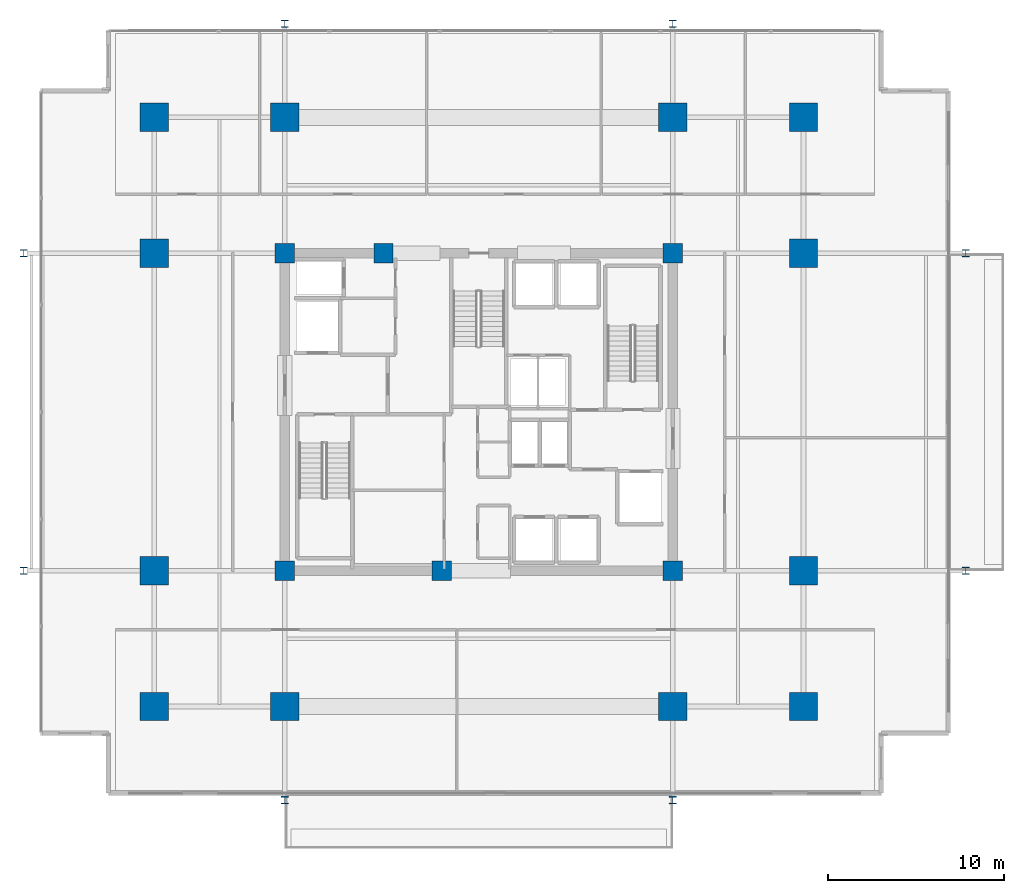
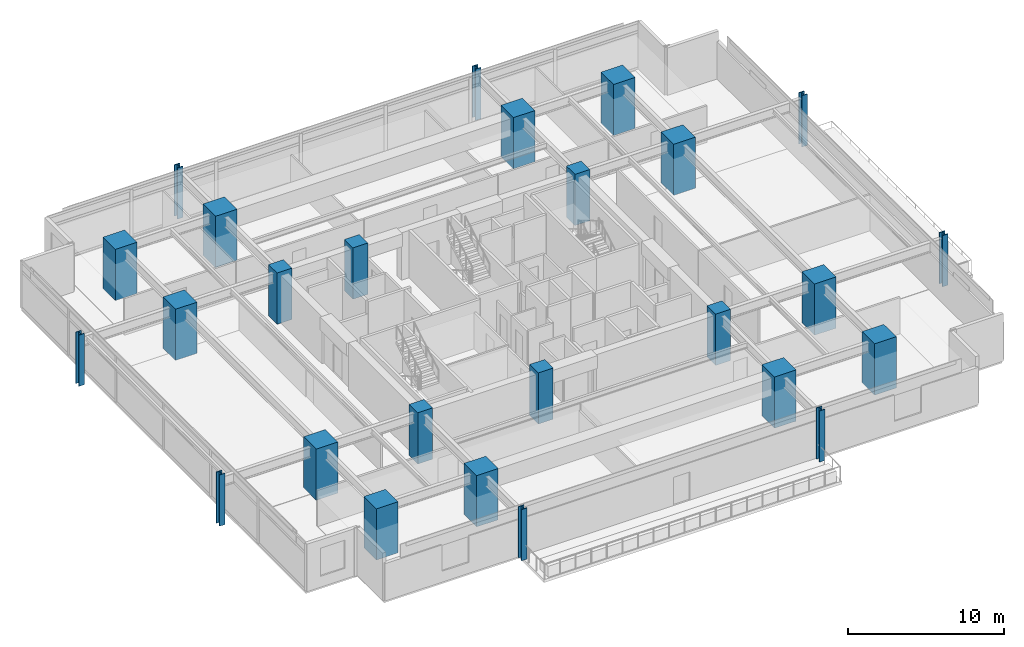
# One storey, part 1 of 22: 26 columns.
"""IFC4 building model written with IfcOpenShell, lengths in metres."""

from ifc_helpers import new_model, si_unit, direction, frame, origin, origin_2d, place, context, subcontext, project, spatial, rectangle, i_section, extrude, material, material_profile, profile_set, type_object, element, save


model = new_model("IFC4")

# Units and contexts
model_context = context("Model", 3, precision=1e-05, world=origin(), true_north=direction((0.0, 1.0)))
body_context = subcontext(model_context, "Body", "Model", "MODEL_VIEW")
ifc_project = project(units=[si_unit("LENGTHUNIT", "METRE"), si_unit("AREAUNIT", "SQUARE_METRE"), si_unit("VOLUMEUNIT", "CUBIC_METRE"), si_unit("PLANEANGLEUNIT", "RADIAN"), si_unit("MASSUNIT", "GRAM", prefix="KILO")], contexts=[model_context])

# Site, building, storey
site_placement = place(None, origin())
site = spatial("IfcSite", under=ifc_project, at=site_placement, CompositionType="ELEMENT")
building_placement = place(site_placement, origin())
building = spatial("IfcBuilding", under=site, at=building_placement, Name="Kovane Verandah Tower", CompositionType="ELEMENT")
storey_placement = place(building_placement, frame((0.0, 0.0, 180.39990234375)))
storey = spatial("IfcBuildingStorey", under=building, at=storey_placement, Name="L42", CompositionType="ELEMENT", Elevation=180.39990234375)

# Columns
ifc_material_1 = material(Name="Concrete C80/95", Category="concrete")
ifc_material_profile_1 = material_profile(ifc_material_1, rectangle(XDim=1.60009765625, YDim=1.60009765625, at=origin_2d()), Name="RC1600x1600")
ifc_profile_set_1 = profile_set([ifc_material_profile_1], Name="Concrete C80/95")
column_type_1 = type_object("IfcColumnType", Name="COL-RC1600", PredefinedType="COLUMN", material=ifc_profile_set_1)
for number, where, z_axis, x_axis, name in (
    (1, (29.0, 10.800048828125, 0.0), (0.0, 0.0, 1.0), (1.0, 0.0, 0.0), "L42 Tower Mega-Column MC-S1"),
    (2, (51.0, 10.800048828125, 0.0), (0.0, 0.0, 1.0), (1.0, 0.0, 0.0), "L42 Tower Mega-Column MC-S2"),
    (3, (29.0, 44.199951171875, 0.0), (0.0, 0.0, 1.0), (1.0, 0.0, 0.0), "L42 Tower Mega-Column MC-N1"),
    (4, (51.0, 44.199951171875, 0.0), (0.0, 0.0, 1.0), (1.0, 0.0, 0.0), "L42 Tower Mega-Column MC-N2"),
    (5, (21.60009765625, 18.5, 0.0), (0.0, 0.0, 1.0), (1.0, 0.0, 0.0), "L42 Tower Mega-Column MC-W1"),
    (6, (21.60009765625, 36.5, 0.0), (0.0, 0.0, 1.0), (1.0, 0.0, 0.0), "L42 Tower Mega-Column MC-W2"),
    (7, (58.39990234375, 18.5, 0.0), (0.0, 0.0, 1.0), (1.0, 0.0, 0.0), "L42 Tower Mega-Column MC-E1"),
    (8, (58.39990234375, 36.5, 0.0), (0.0, 0.0, 1.0), (1.0, 0.0, 0.0), "L42 Tower Mega-Column MC-E2"),
    (9, (21.60009765625, 10.800048828125, 0.0), (0.0, 0.0, 1.0), (1.0, 0.0, 0.0), "L42 Tower Mega-Column MC-SW"),
    (10, (58.39990234375, 10.800048828125, 0.0), (0.0, 0.0, 1.0), (1.0, 0.0, 0.0), "L42 Tower Mega-Column MC-SE"),
    (11, (21.60009765625, 44.199951171875, 0.0), (0.0, 0.0, 1.0), (1.0, 0.0, 0.0), "L42 Tower Mega-Column MC-NW"),
    (12, (58.39990234375, 44.199951171875, 0.0), (0.0, 0.0, 1.0), (1.0, 0.0, 0.0), "L42 Tower Mega-Column MC-NE"),
):
    element("IfcColumn", number, at=place(storey_placement, frame(where, z_axis=z_axis, x_axis=x_axis)), inside=storey, type_object=column_type_1, Name=name, PredefinedType="COLUMN", context=body_context, shape_type="SweptSolid", body=[
        extrude(rectangle(XDim=1.60009765625, YDim=1.60009765625, at=origin_2d()), origin(), (0.0, 0.0, 1.0), 4.0),
    ])
ifc_material_2 = material(Name="Steel S460", Category="steel")
ifc_material_profile_2 = material_profile(ifc_material_2, i_section(OverallWidth=0.412109375, OverallDepth=0.4365234375, WebThickness=0.035888671875, FlangeThickness=0.05810546875, FilletRadius=0.01513671875, at=origin_2d()), Name="UC356x406x467")
ifc_profile_set_2 = profile_set([ifc_material_profile_2], Name="Steel S460")
column_type_2 = type_object("IfcColumnType", Name="COL-UC467", PredefinedType="COLUMN", material=ifc_profile_set_2)
for number, where, z_axis, x_axis, name in (
    (13, (14.199951171875, 18.5, 0.0), (0.0, 0.0, 1.0), (1.0, 0.0, 0.0), "L42 Verandah Perimeter Column VC-W1"),
    (14, (14.199951171875, 36.5, 0.0), (0.0, 0.0, 1.0), (1.0, 0.0, 0.0), "L42 Verandah Perimeter Column VC-W2"),
    (15, (67.60009765625, 18.5, 0.0), (0.0, 0.0, 1.0), (1.0, 0.0, 0.0), "L42 Verandah Perimeter Column VC-E1"),
    (16, (67.60009765625, 36.5, 0.0), (0.0, 0.0, 1.0), (1.0, 0.0, 0.0), "L42 Verandah Perimeter Column VC-E2"),
    (17, (29.0, 5.5, 0.0), (0.0, 0.0, 1.0), (1.0, 0.0, 0.0), "L42 Verandah Perimeter Column VC-S1"),
    (18, (51.0, 5.5, 0.0), (0.0, 0.0, 1.0), (1.0, 0.0, 0.0), "L42 Verandah Perimeter Column VC-S2"),
    (19, (29.0, 49.5, 0.0), (0.0, 0.0, 1.0), (1.0, 0.0, 0.0), "L42 Verandah Perimeter Column VC-N1"),
    (20, (51.0, 49.5, 0.0), (0.0, 0.0, 1.0), (1.0, 0.0, 0.0), "L42 Verandah Perimeter Column VC-N2"),
):
    element("IfcColumn", number, at=place(storey_placement, frame(where, z_axis=z_axis, x_axis=x_axis)), inside=storey, type_object=column_type_2, Name=name, PredefinedType="COLUMN", context=body_context, shape_type="SweptSolid", body=[
        extrude(i_section(OverallWidth=0.412109375, OverallDepth=0.4365234375, WebThickness=0.035888671875, FlangeThickness=0.05810546875, FilletRadius=0.01513671875, at=origin_2d()), origin(), (0.0, 0.0, 1.0), 4.0),
    ])
ifc_material_profile_3 = material_profile(ifc_material_1, rectangle(XDim=1.10009765625, YDim=1.10009765625, at=origin_2d()), Name="RC1100x1100")
ifc_profile_set_3 = profile_set([ifc_material_profile_3], Name="Concrete C80/95")
column_type_3 = type_object("IfcColumnType", Name="PIL-RC1100", PredefinedType="PILASTER", material=ifc_profile_set_3)
for number, where, z_axis, x_axis, name in (
    (21, (29.0, 18.5, 0.0), (0.0, 0.0, 1.0), (1.0, 0.0, 0.0), "L42 Core Pilaster CP-SW"),
    (22, (51.0, 18.5, 0.0), (0.0, 0.0, 1.0), (1.0, 0.0, 0.0), "L42 Core Pilaster CP-SE"),
    (23, (29.0, 36.5, 0.0), (0.0, 0.0, 1.0), (1.0, 0.0, 0.0), "L42 Core Pilaster CP-NW"),
    (24, (51.0, 36.5, 0.0), (0.0, 0.0, 1.0), (1.0, 0.0, 0.0), "L42 Core Pilaster CP-NE"),
    (25, (37.89990234375, 18.5, 0.0), (0.0, 0.0, 1.0), (1.0, 0.0, 0.0), "L42 Core Pilaster CP-S"),
    (26, (34.60009765625, 36.5, 0.0), (0.0, 0.0, 1.0), (1.0, 0.0, 0.0), "L42 Core Pilaster CP-N"),
):
    element("IfcColumn", number, at=place(storey_placement, frame(where, z_axis=z_axis, x_axis=x_axis)), inside=storey, type_object=column_type_3, Name=name, PredefinedType="PILASTER", context=body_context, shape_type="SweptSolid", body=[
        extrude(rectangle(XDim=1.10009765625, YDim=1.10009765625, at=origin_2d()), origin(), (0.0, 0.0, 1.0), 4.0),
    ])

save(model, "model.ifc")
